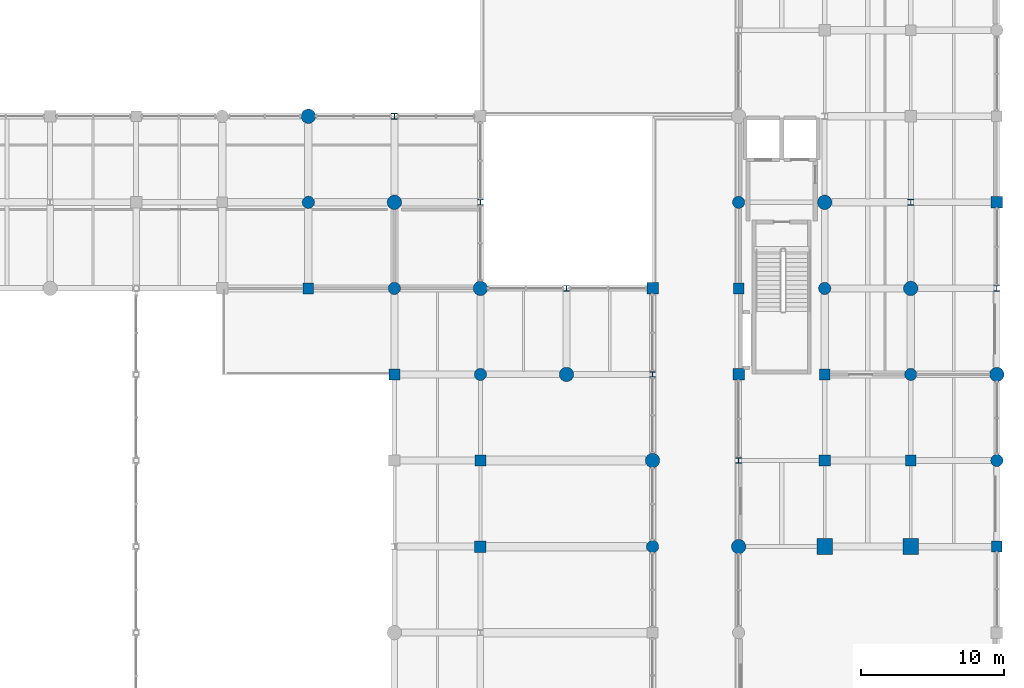
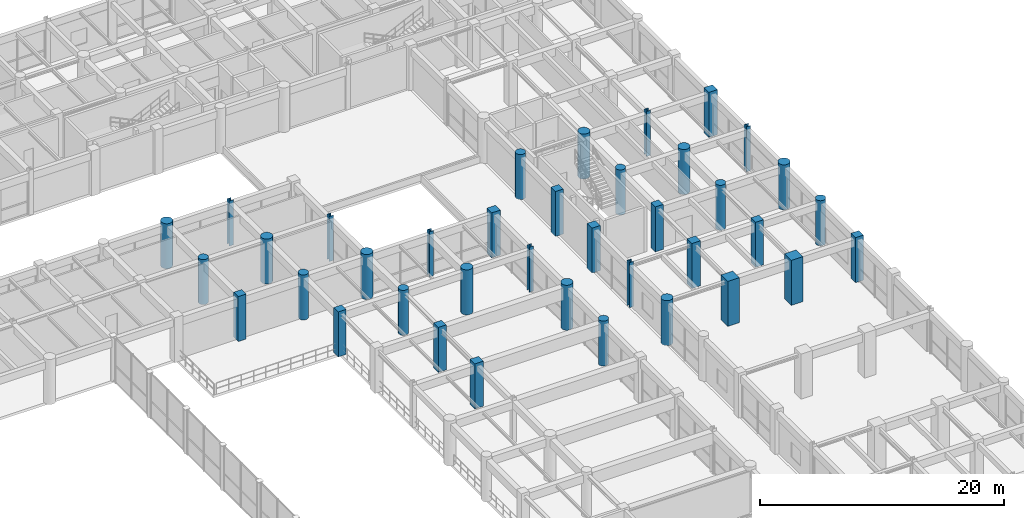
# One storey, part 16 of 133: 38 columns.
"""IFC4 building model written with IfcOpenShell, lengths in metres."""

from ifc_helpers import new_model, si_unit, direction, frame, origin, origin_2d, place, context, subcontext, project, spatial, rectangle, circle, i_section, extrude, material, material_profile, profile_set, type_object, element, save


model = new_model("IFC4")

# Units and contexts
model_context = context("Model", 3, precision=1e-05, world=origin(), true_north=direction((0.0, 1.0)))
body_context = subcontext(model_context, "Body", "Model", "MODEL_VIEW")
ifc_project = project(units=[si_unit("LENGTHUNIT", "METRE"), si_unit("AREAUNIT", "SQUARE_METRE"), si_unit("VOLUMEUNIT", "CUBIC_METRE"), si_unit("PLANEANGLEUNIT", "RADIAN"), si_unit("MASSUNIT", "GRAM", prefix="KILO"), si_unit("THERMODYNAMICTEMPERATUREUNIT", "KELVIN"), si_unit("POWERUNIT", "WATT")], contexts=[model_context])

# Site, building, storey
site_placement = place(None, origin())
site = spatial("IfcSite", under=ifc_project, at=site_placement, CompositionType="ELEMENT")
building_placement = place(site_placement, origin())
building = spatial("IfcBuilding", under=site, at=building_placement, Name="Phaisarnlok Congress Hotel", CompositionType="ELEMENT")
storey_placement = place(building_placement, frame((0.0, 0.0, 6.0)))
storey = spatial("IfcBuildingStorey", under=building, at=storey_placement, Name="L01", CompositionType="ELEMENT", Elevation=6.0)

# Columns
ifc_material_1 = material(Name="Concrete C50/60", Category="concrete")
ifc_material_profile_1 = material_profile(ifc_material_1, rectangle(XDim=1.10009765625, YDim=1.10009765625, at=origin_2d()), Name="RC 1100x1100")
ifc_profile_set_1 = profile_set([ifc_material_profile_1], Name="Concrete C50/60")
column_type_1 = type_object("IfcColumnType", Name="COL-RC-1100", PredefinedType="COLUMN", material=ifc_profile_set_1)
for number, where, z_axis, x_axis, name in (
    (1, (168.0, 66.0, 0.0), (0.0, 0.0, 1.0), (1.0, 0.0, 0.0), "Column C-10 (L01)"),
    (2, (174.0, 66.0, 0.0), (0.0, 0.0, 1.0), (1.0, 0.0, 0.0), "Column C-10 (L01)"),
):
    element("IfcColumn", number, at=place(storey_placement, frame(where, z_axis=z_axis, x_axis=x_axis)), inside=storey, type_object=column_type_1, Name=name, PredefinedType="COLUMN", context=body_context, shape_type="SweptSolid", body=[
        extrude(rectangle(XDim=1.10009765625, YDim=1.10009765625, at=origin_2d()), origin(), (0.0, 0.0, 1.0), 4.5),
    ])
ifc_material_profile_2 = material_profile(ifc_material_1, rectangle(XDim=0.75, YDim=0.75, at=origin_2d()), Name="RC 750x750")
ifc_profile_set_2 = profile_set([ifc_material_profile_2], Name="Concrete C50/60")
column_type_2 = type_object("IfcColumnType", Name="COL-RC-750", PredefinedType="COLUMN", material=ifc_profile_set_2)
for number, where, z_axis, x_axis, name in (
    (3, (132.0, 84.0, 0.0), (0.0, 0.0, 1.0), (1.0, 0.0, 0.0), "Column C-06 (L01)"),
    (4, (138.0, 78.0, 0.0), (0.0, 0.0, 1.0), (1.0, 0.0, 0.0), "Column C-06 (L01)"),
    (5, (144.0, 72.0, 0.0), (0.0, 0.0, 1.0), (1.0, 0.0, 0.0), "Column C-06 (L01)"),
    (6, (162.0, 84.0, 0.0), (0.0, 0.0, 1.0), (1.0, 0.0, 0.0), "Column C-06 (L01)"),
    (7, (168.0, 78.0, 0.0), (0.0, 0.0, 1.0), (1.0, 0.0, 0.0), "Column C-06 (L01)"),
    (8, (174.0, 72.0, 0.0), (0.0, 0.0, 1.0), (1.0, 0.0, 0.0), "Column C-06 (L01)"),
):
    element("IfcColumn", number, at=place(storey_placement, frame(where, z_axis=z_axis, x_axis=x_axis)), inside=storey, type_object=column_type_2, Name=name, PredefinedType="COLUMN", context=body_context, shape_type="SweptSolid", body=[
        extrude(rectangle(XDim=0.75, YDim=0.75, at=origin_2d()), origin(), (0.0, 0.0, 1.0), 4.5),
    ])
ifc_material_profile_3 = material_profile(ifc_material_1, rectangle(XDim=0.75, YDim=0.75, at=origin_2d()), Name="RC 750x750")
ifc_profile_set_3 = profile_set([ifc_material_profile_3], Name="Concrete C50/60")
column_type_3 = type_object("IfcColumnType", Name="COL-RC-750-EXT", PredefinedType="COLUMN", material=ifc_profile_set_3)
column_1_placement = place(storey_placement, frame((180.0, 66.0, 0.0), z_axis=(0.0, 0.0, 1.0), x_axis=(1.0, 0.0, 0.0)))
element("IfcColumn", 9, at=column_1_placement, inside=storey, type_object=column_type_3, Name="Column C-06E (L01)", PredefinedType="COLUMN", context=body_context, shape_type="SweptSolid", body=[
    extrude(rectangle(XDim=0.75, YDim=0.75, at=origin_2d()), origin(), (0.0, 0.0, 1.0), 4.5),
])
ifc_material_profile_4 = material_profile(ifc_material_1, rectangle(XDim=0.800048828125, YDim=0.800048828125, at=origin_2d()), Name="RC 800x800")
ifc_profile_set_4 = profile_set([ifc_material_profile_4], Name="Concrete C50/60")
column_type_4 = type_object("IfcColumnType", Name="COL-RC-800", PredefinedType="COLUMN", material=ifc_profile_set_4)
for number, where, z_axis, x_axis, name in (
    (10, (144.0, 66.0, 0.0), (0.0, 0.0, 1.0), (1.0, 0.0, 0.0), "Column C-07 (L01)"),
    (11, (156.0, 84.0, 0.0), (0.0, 0.0, 1.0), (1.0, 0.0, 0.0), "Column C-07 (L01)"),
    (12, (162.0, 78.0, 0.0), (0.0, 0.0, 1.0), (1.0, 0.0, 0.0), "Column C-07 (L01)"),
    (13, (168.0, 72.0, 0.0), (0.0, 0.0, 1.0), (1.0, 0.0, 0.0), "Column C-07 (L01)"),
):
    element("IfcColumn", number, at=place(storey_placement, frame(where, z_axis=z_axis, x_axis=x_axis)), inside=storey, type_object=column_type_4, Name=name, PredefinedType="COLUMN", context=body_context, shape_type="SweptSolid", body=[
        extrude(rectangle(XDim=0.800048828125, YDim=0.800048828125, at=origin_2d()), origin(), (0.0, 0.0, 1.0), 4.5),
    ])
ifc_material_profile_5 = material_profile(ifc_material_1, rectangle(XDim=0.800048828125, YDim=0.800048828125, at=origin_2d()), Name="RC 800x800")
ifc_profile_set_5 = profile_set([ifc_material_profile_5], Name="Concrete C50/60")
column_type_5 = type_object("IfcColumnType", Name="COL-RC-800-EXT", PredefinedType="COLUMN", material=ifc_profile_set_5)
column_2_placement = place(storey_placement, frame((180.0, 90.0, 0.0), z_axis=(0.0, 0.0, 1.0), x_axis=(1.0, 0.0, 0.0)))
element("IfcColumn", 14, at=column_2_placement, inside=storey, type_object=column_type_5, Name="Column C-07E (L01)", PredefinedType="COLUMN", context=body_context, shape_type="SweptSolid", body=[
    extrude(rectangle(XDim=0.800048828125, YDim=0.800048828125, at=origin_2d()), origin(), (0.0, 0.0, 1.0), 4.5),
])
ifc_material_profile_6 = material_profile(ifc_material_1, circle(Radius=0.5, at=origin_2d()), Name="RCC D1000")
ifc_profile_set_6 = profile_set([ifc_material_profile_6], Name="Concrete C50/60")
column_type_6 = type_object("IfcColumnType", Name="COL-RCC-1000", PredefinedType="COLUMN", material=ifc_profile_set_6)
for number, where, z_axis, x_axis, name in (
    (15, (132.0, 96.0, 0.0), (0.0, 0.0, 1.0), (1.0, 0.0, 0.0), "Column C-15 (L01)"),
    (16, (138.0, 90.0, 0.0), (0.0, 0.0, 1.0), (1.0, 0.0, 0.0), "Column C-15 (L01)"),
    (17, (144.0, 84.0, 0.0), (0.0, 0.0, 1.0), (1.0, 0.0, 0.0), "Column C-15 (L01)"),
    (18, (150.0, 78.0, 0.0), (0.0, 0.0, 1.0), (1.0, 0.0, 0.0), "Column C-15 (L01)"),
    (19, (156.0, 72.0, 0.0), (0.0, 0.0, 1.0), (1.0, 0.0, 0.0), "Column C-15 (L01)"),
    (20, (162.0, 66.0, 0.0), (0.0, 0.0, 1.0), (1.0, 0.0, 0.0), "Column C-15 (L01)"),
    (21, (168.0, 90.0, 0.0), (0.0, 0.0, 1.0), (1.0, 0.0, 0.0), "Column C-15 (L01)"),
    (22, (174.0, 84.0, 0.0), (0.0, 0.0, 1.0), (1.0, 0.0, 0.0), "Column C-15 (L01)"),
):
    element("IfcColumn", number, at=place(storey_placement, frame(where, z_axis=z_axis, x_axis=x_axis)), inside=storey, type_object=column_type_6, Name=name, PredefinedType="COLUMN", context=body_context, shape_type="SweptSolid", body=[
        extrude(circle(Radius=0.5, at=origin_2d()), origin(), (0.0, 0.0, 1.0), 4.5),
    ])
ifc_material_profile_7 = material_profile(ifc_material_1, circle(Radius=0.5, at=origin_2d()), Name="RCC D1000")
ifc_profile_set_7 = profile_set([ifc_material_profile_7], Name="Concrete C50/60")
column_type_7 = type_object("IfcColumnType", Name="COL-RCC-1000-EXT", PredefinedType="COLUMN", material=ifc_profile_set_7)
column_3_placement = place(storey_placement, frame((180.0, 78.0, 0.0), z_axis=(0.0, 0.0, 1.0), x_axis=(1.0, 0.0, 0.0)))
element("IfcColumn", 23, at=column_3_placement, inside=storey, type_object=column_type_7, Name="Column C-15E (L01)", PredefinedType="COLUMN", context=body_context, shape_type="SweptSolid", body=[
    extrude(circle(Radius=0.5, at=origin_2d()), origin(), (0.0, 0.0, 1.0), 4.5),
])
ifc_material_profile_8 = material_profile(ifc_material_1, circle(Radius=0.425048828125, at=origin_2d()), Name="RCC D850")
ifc_profile_set_8 = profile_set([ifc_material_profile_8], Name="Concrete C50/60")
column_type_8 = type_object("IfcColumnType", Name="COL-RCC-850", PredefinedType="COLUMN", material=ifc_profile_set_8)
for number, where, z_axis, x_axis, name in (
    (24, (132.0, 90.0, 0.0), (0.0, 0.0, 1.0), (1.0, 0.0, 0.0), "Column C-14 (L01)"),
    (25, (138.0, 84.0, 0.0), (0.0, 0.0, 1.0), (1.0, 0.0, 0.0), "Column C-14 (L01)"),
    (26, (144.0, 78.0, 0.0), (0.0, 0.0, 1.0), (1.0, 0.0, 0.0), "Column C-14 (L01)"),
    (27, (156.0, 66.0, 0.0), (0.0, 0.0, 1.0), (1.0, 0.0, 0.0), "Column C-14 (L01)"),
    (28, (162.0, 90.0, 0.0), (0.0, 0.0, 1.0), (1.0, 0.0, 0.0), "Column C-14 (L01)"),
    (29, (168.0, 84.0, 0.0), (0.0, 0.0, 1.0), (1.0, 0.0, 0.0), "Column C-14 (L01)"),
    (30, (174.0, 78.0, 0.0), (0.0, 0.0, 1.0), (1.0, 0.0, 0.0), "Column C-14 (L01)"),
):
    element("IfcColumn", number, at=place(storey_placement, frame(where, z_axis=z_axis, x_axis=x_axis)), inside=storey, type_object=column_type_8, Name=name, PredefinedType="COLUMN", context=body_context, shape_type="SweptSolid", body=[
        extrude(circle(Radius=0.425048828125, at=origin_2d()), origin(), (0.0, 0.0, 1.0), 4.5),
    ])
ifc_material_profile_9 = material_profile(ifc_material_1, circle(Radius=0.425048828125, at=origin_2d()), Name="RCC D850")
ifc_profile_set_9 = profile_set([ifc_material_profile_9], Name="Concrete C50/60")
column_type_9 = type_object("IfcColumnType", Name="COL-RCC-850-EXT", PredefinedType="COLUMN", material=ifc_profile_set_9)
column_4_placement = place(storey_placement, frame((180.0, 72.0, 0.0), z_axis=(0.0, 0.0, 1.0), x_axis=(1.0, 0.0, 0.0)))
element("IfcColumn", 31, at=column_4_placement, inside=storey, type_object=column_type_9, Name="Column C-14E (L01)", PredefinedType="COLUMN", context=body_context, shape_type="SweptSolid", body=[
    extrude(circle(Radius=0.425048828125, at=origin_2d()), origin(), (0.0, 0.0, 1.0), 4.5),
])
ifc_material_2 = material(Name="Steel S355", Category="steel")
ifc_material_profile_10 = material_profile(ifc_material_2, i_section(OverallWidth=0.40087890625, OverallDepth=0.39892578125, WebThickness=0.0185546875, FlangeThickness=0.030029296875, FilletRadius=0.014892578125, at=origin_2d()), Name="HD 400x314")
ifc_profile_set_10 = profile_set([ifc_material_profile_10], Name="Steel S355")
column_type_10 = type_object("IfcColumnType", Name="COL-STL-HD314", PredefinedType="COLUMN", material=ifc_profile_set_10)
for number, where, z_axis, x_axis, name in (
    (32, (138.0, 96.0, 0.0), (0.0, 0.0, 1.0), (1.0, 0.0, 0.0), "Column SC-04 (L01)"),
    (33, (144.0, 90.0, 0.0), (0.0, 0.0, 1.0), (1.0, 0.0, 0.0), "Column SC-04 (L01)"),
    (34, (150.0, 84.0, 0.0), (0.0, 0.0, 1.0), (1.0, 0.0, 0.0), "Column SC-04 (L01)"),
    (35, (156.0, 78.0, 0.0), (0.0, 0.0, 1.0), (1.0, 0.0, 0.0), "Column SC-04 (L01)"),
    (36, (162.0, 72.0, 0.0), (0.0, 0.0, 1.0), (1.0, 0.0, 0.0), "Column SC-04 (L01)"),
    (37, (174.0, 90.0, 0.0), (0.0, 0.0, 1.0), (1.0, 0.0, 0.0), "Column SC-04 (L01)"),
):
    element("IfcColumn", number, at=place(storey_placement, frame(where, z_axis=z_axis, x_axis=x_axis)), inside=storey, type_object=column_type_10, Name=name, PredefinedType="COLUMN", context=body_context, shape_type="SweptSolid", body=[
        extrude(i_section(OverallWidth=0.40087890625, OverallDepth=0.39892578125, WebThickness=0.0185546875, FlangeThickness=0.030029296875, FilletRadius=0.014892578125, at=origin_2d()), origin(), (0.0, 0.0, 1.0), 4.5),
    ])
ifc_material_profile_11 = material_profile(ifc_material_2, i_section(OverallWidth=0.40087890625, OverallDepth=0.39892578125, WebThickness=0.0185546875, FlangeThickness=0.030029296875, FilletRadius=0.014892578125, at=origin_2d()), Name="HD 400x314")
ifc_profile_set_11 = profile_set([ifc_material_profile_11], Name="Steel S355")
column_type_11 = type_object("IfcColumnType", Name="COL-STL-HD314-EXT", PredefinedType="COLUMN", material=ifc_profile_set_11)
column_5_placement = place(storey_placement, frame((180.0, 84.0, 0.0), z_axis=(0.0, 0.0, 1.0), x_axis=(1.0, 0.0, 0.0)))
element("IfcColumn", 38, at=column_5_placement, inside=storey, type_object=column_type_11, Name="Column SC-04E (L01)", PredefinedType="COLUMN", context=body_context, shape_type="SweptSolid", body=[
    extrude(i_section(OverallWidth=0.40087890625, OverallDepth=0.39892578125, WebThickness=0.0185546875, FlangeThickness=0.030029296875, FilletRadius=0.014892578125, at=origin_2d()), origin(), (0.0, 0.0, 1.0), 4.5),
])

save(model, "model.ifc")
